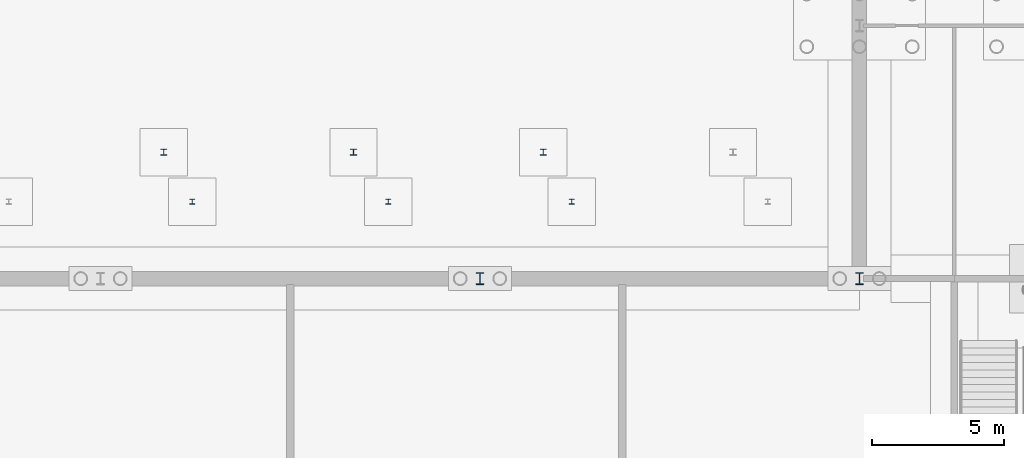
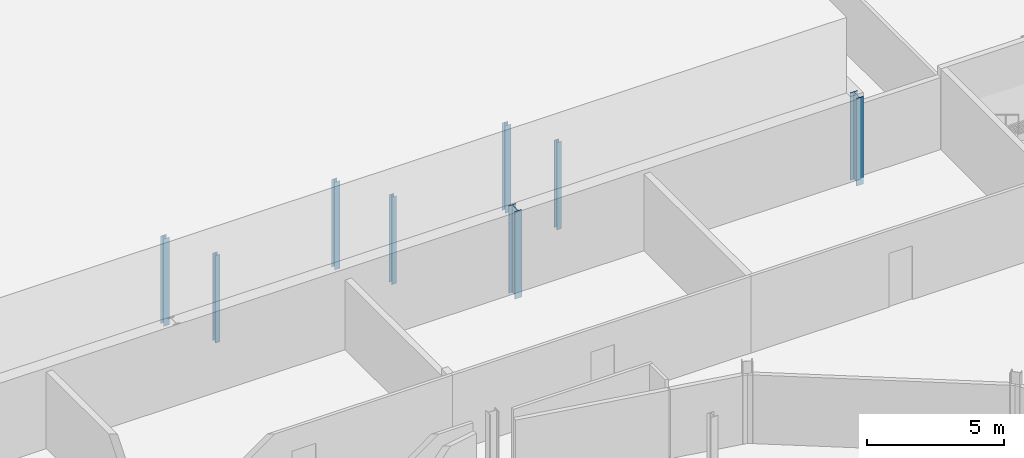
# One storey, part 57 of 148: 8 columns.
"""IFC4 building model written with IfcOpenShell, lengths in metres."""

from ifc_helpers import new_model, si_unit, direction, frame, origin, origin_2d, place, context, subcontext, project, spatial, i_section, extrude, material, material_profile, profile_set, type_object, element, save


model = new_model("IFC4")

# Units and contexts
model_context = context("Model", 3, precision=1e-05, world=origin(), true_north=direction((0.0, 1.0)))
body_context = subcontext(model_context, "Body", "Model", "MODEL_VIEW")
ifc_project = project(units=[si_unit("LENGTHUNIT", "METRE"), si_unit("AREAUNIT", "SQUARE_METRE"), si_unit("VOLUMEUNIT", "CUBIC_METRE"), si_unit("PLANEANGLEUNIT", "RADIAN"), si_unit("MASSUNIT", "GRAM", prefix="KILO")], contexts=[model_context])

# Site, building, storey
site_placement = place(None, origin())
site = spatial("IfcSite", under=ifc_project, at=site_placement, CompositionType="ELEMENT")
building_placement = place(site_placement, origin())
building = spatial("IfcBuilding", under=site, at=building_placement, Name="Kupolbacken Congress Centre", CompositionType="ELEMENT")
storey_placement = place(building_placement, origin())
storey = spatial("IfcBuildingStorey", under=building, at=storey_placement, Name="L00", CompositionType="ELEMENT", Elevation=0.0)

# Columns
ifc_material_1 = material(Name="Steel S355", Category="steel")
ifc_material_profile_1 = material_profile(ifc_material_1, i_section(OverallWidth=0.300048828125, OverallDepth=0.449951171875, WebThickness=0.013916015625, FlangeThickness=0.02587890625, FilletRadius=0.027099609375, at=origin_2d()), Name="HEB 450")
ifc_profile_set_1 = profile_set([ifc_material_profile_1], Name="Steel S355")
column_type_1 = type_object("IfcColumnType", Name="C03 column HEB 450", PredefinedType="COLUMN", material=ifc_profile_set_1)
for number, where, z_axis, x_axis, name in (
    (1, (50.39990234375, 122.39990234375, -0.300048828125), (0.0, 0.0, 1.0), (1.0, 0.0, 0.0), "S/col/C-P-8T/L00"),
    (2, (64.800048828125, 122.39990234375, -0.300048828125), (0.0, 0.0, 1.0), (1.0, 0.0, 0.0), "S/col/C-T-10T/L00"),
):
    element("IfcColumn", number, at=place(storey_placement, frame(where, z_axis=z_axis, x_axis=x_axis)), inside=storey, type_object=column_type_1, Name=name, PredefinedType="COLUMN", context=body_context, shape_type="SweptSolid", body=[
        extrude(i_section(OverallWidth=0.300048828125, OverallDepth=0.449951171875, WebThickness=0.013916015625, FlangeThickness=0.02587890625, FilletRadius=0.027099609375, at=origin_2d()), origin(), (0.0, 0.0, 1.0), 3.900146484375),
    ])
ifc_material_2 = material(Name="Steel S355", Category="steel")
ifc_material_profile_2 = material_profile(ifc_material_2, i_section(OverallWidth=0.239990234375, OverallDepth=0.22998046875, WebThickness=0.007568359375, FlangeThickness=0.011962890625, FilletRadius=0.02099609375, at=origin_2d()), Name="HEA 240")
ifc_profile_set_2 = profile_set([ifc_material_profile_2], Name="Steel S355")
column_type_2 = type_object("IfcColumnType", Name="C10 column HEA 240", PredefinedType="COLUMN", material=ifc_profile_set_2)
for number, where, z_axis, x_axis, name in (
    (3, (38.39990234375, 127.199951171875, -0.300048828125), (0.0, 0.0, 1.0), (1.0, 0.0, 0.0), "E/T/portico/P/col38.4/L00"),
    (4, (45.60009765625, 127.199951171875, -0.300048828125), (0.0, 0.0, 1.0), (1.0, 0.0, 0.0), "E/T/portico/P/col45.6/L00"),
    (5, (52.800048828125, 127.199951171875, -0.300048828125), (0.0, 0.0, 1.0), (1.0, 0.0, 0.0), "E/T/portico/P/col52.8/L00"),
):
    element("IfcColumn", number, at=place(storey_placement, frame(where, z_axis=z_axis, x_axis=x_axis)), inside=storey, type_object=column_type_2, Name=name, PredefinedType="COLUMN", context=body_context, shape_type="SweptSolid", body=[
        extrude(i_section(OverallWidth=0.239990234375, OverallDepth=0.22998046875, WebThickness=0.007568359375, FlangeThickness=0.011962890625, FilletRadius=0.02099609375, at=origin_2d()), origin(), (0.0, 0.0, 1.0), 3.900146484375),
    ])
ifc_material_3 = material(Name="Steel S355", Category="steel")
ifc_material_profile_3 = material_profile(ifc_material_3, i_section(OverallWidth=0.199951171875, OverallDepth=0.199951171875, WebThickness=0.009033203125, FlangeThickness=0.014892578125, FilletRadius=0.01806640625, at=origin_2d()), Name="HEB 200")
ifc_profile_set_3 = profile_set([ifc_material_profile_3], Name="Steel S355")
column_type_3 = type_object("IfcColumnType", Name="C11 column HEB 200", PredefinedType="COLUMN", material=ifc_profile_set_3)
for number, where, z_axis, x_axis, name in (
    (6, (46.919921875, 125.320068359375, -0.300048828125), (0.0, 0.0, 1.0), (1.0, 0.0, 0.0), "E/canopy/HEN2/col1/L00"),
    (7, (39.47998046875, 125.320068359375, -0.300048828125), (0.0, 0.0, 1.0), (1.0, 0.0, 0.0), "E/canopy/HEN2/col2/L00"),
    (8, (53.8798828125, 125.320068359375, -0.300048828125), (0.0, 0.0, 1.0), (1.0, 0.0, 0.0), "E/canopy/HEN3/col2/L00"),
):
    element("IfcColumn", number, at=place(storey_placement, frame(where, z_axis=z_axis, x_axis=x_axis)), inside=storey, type_object=column_type_3, Name=name, PredefinedType="COLUMN", context=body_context, shape_type="SweptSolid", body=[
        extrude(i_section(OverallWidth=0.199951171875, OverallDepth=0.199951171875, WebThickness=0.009033203125, FlangeThickness=0.014892578125, FilletRadius=0.01806640625, at=origin_2d()), origin(), (0.0, 0.0, 1.0), 3.900146484375),
    ])

save(model, "model.ifc")
